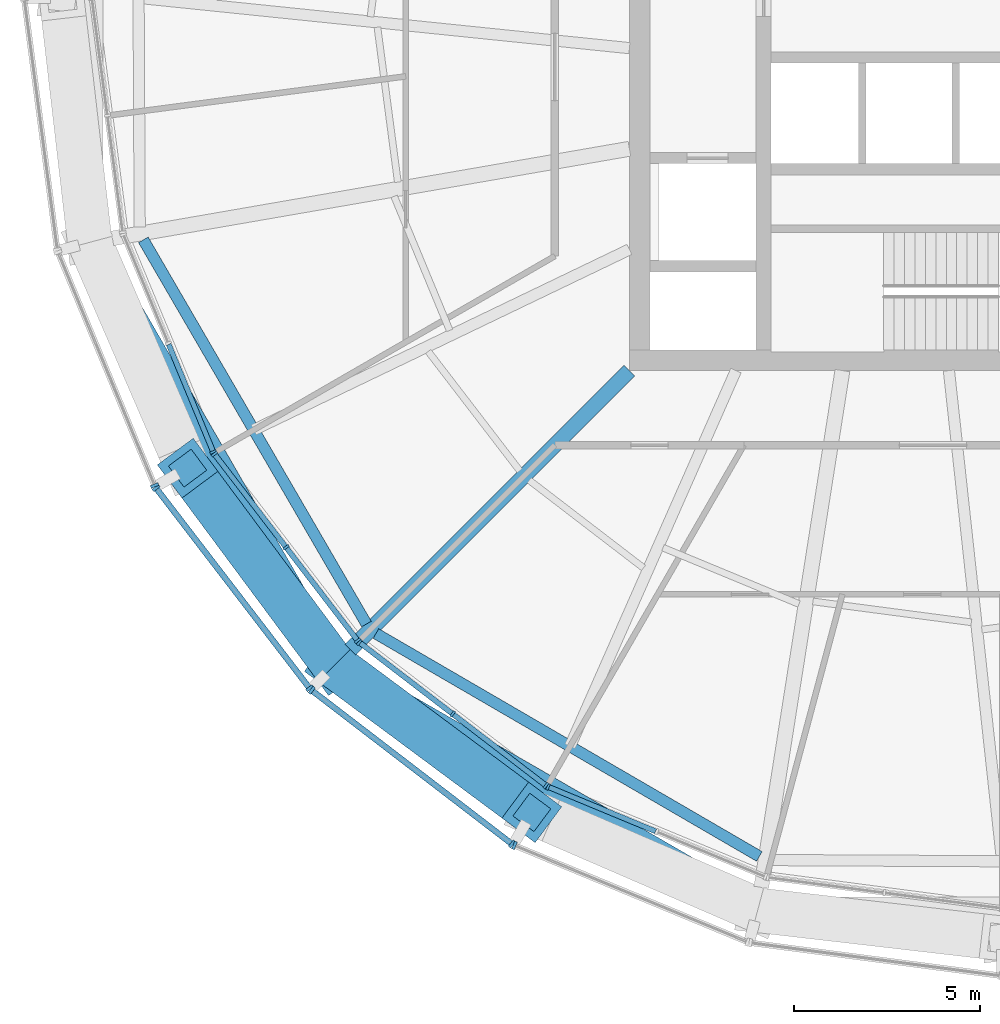
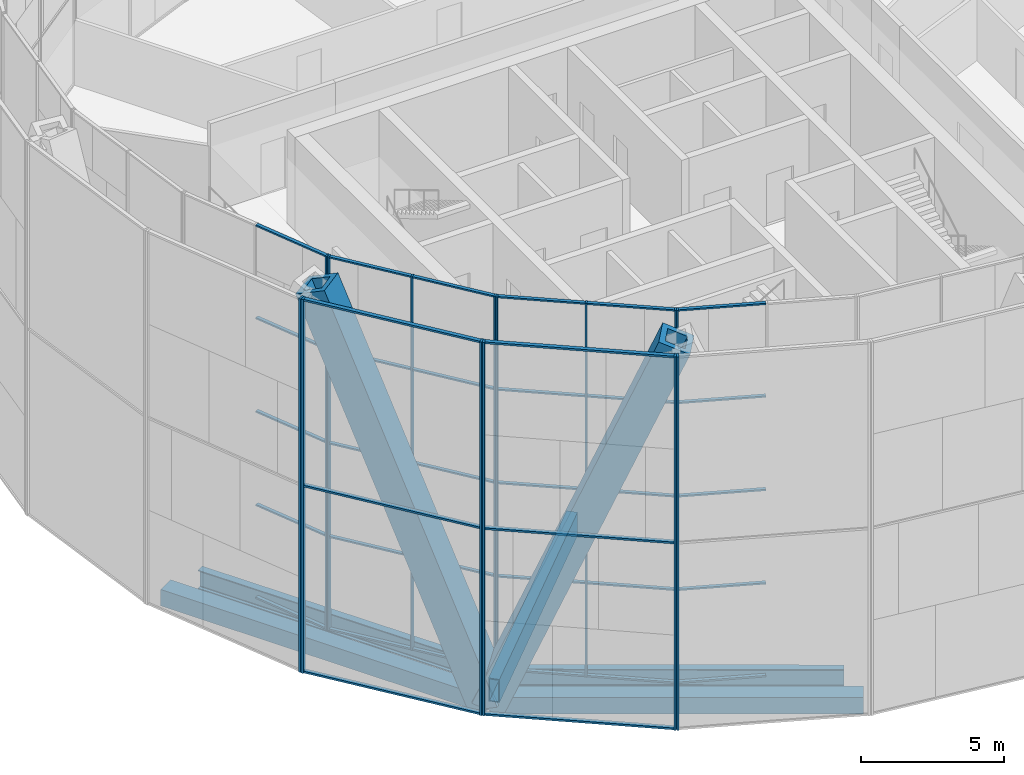
# One storey, part 1 of 28: 52 members, 5 beams, 8 elements without a shape of their own.
"""IFC4 building model written with IfcOpenShell, lengths in metres."""

from ifc_helpers import new_model, si_unit, direction, frame, origin, origin_2d, place, context, subcontext, project, spatial, rectangle, hollow_rectangle, i_section, extrude, material, material_profile, profile_set, type_object, element, aggregate, save


model = new_model("IFC4")

# Units and contexts
model_context = context("Model", 3, precision=1e-05, world=origin(), true_north=direction((0.0, 1.0)))
body_context = subcontext(model_context, "Body", "Model", "MODEL_VIEW")
ifc_project = project(units=[si_unit("LENGTHUNIT", "METRE"), si_unit("AREAUNIT", "SQUARE_METRE"), si_unit("VOLUMEUNIT", "CUBIC_METRE"), si_unit("PLANEANGLEUNIT", "RADIAN"), si_unit("MASSUNIT", "GRAM", prefix="KILO")], contexts=[model_context])

# Site, building, storey
site_placement = place(None, origin())
site = spatial("IfcSite", under=ifc_project, at=site_placement, CompositionType="ELEMENT")
building_placement = place(site_placement, origin())
building = spatial("IfcBuilding", under=site, at=building_placement, Name="Golbaran Civic Tower", CompositionType="ELEMENT")
storey_placement = place(building_placement, frame((0.0, 0.0, 134.0)))
storey = spatial("IfcBuildingStorey", under=building, at=storey_placement, Name="L32", CompositionType="ELEMENT", Elevation=134.0)

# Members
ifc_material_1 = material(Name="Steel S355", Category="steel")
ifc_material_profile_1 = material_profile(ifc_material_1, hollow_rectangle(XDim=1.199951171875, YDim=1.199951171875, WallThickness=0.219970703125, at=origin_2d()), Name="BOX 1200x1200x220")
ifc_profile_set_1 = profile_set([ifc_material_profile_1], Name="Steel S355")
member_type_1 = type_object("IfcMemberType", Name="DIAGRID DIAGONAL BOX 1200x1200x220", PredefinedType="BRACE", material=ifc_profile_set_1)
for number, where, z_axis, x_axis, name in (
    (1, (-17.91796875, -17.91796875, -0.7099609375), (0.306265484914, -0.227361182302, 0.924396205927), (0.59607001815, 0.802932458843, 0.0), "Diagonal D07-07R L32-L36"),
    (2, (-17.91796875, -17.91796875, -0.7099609375), (-0.227361182302, 0.306265484914, 0.924396205927), (-0.802932458843, -0.59607001815, 0.0), "Diagonal D07-07L L32-L36"),
):
    element("IfcMember", number, at=place(storey_placement, frame(where, z_axis=z_axis, x_axis=x_axis)), inside=storey, type_object=member_type_1, Name=name, PredefinedType="BRACE", context=body_context, shape_type="SweptSolid", body=[
        extrude(hollow_rectangle(XDim=1.199951171875, YDim=1.199951171875, WallThickness=0.219970703125, at=origin_2d()), origin(), (0.0, 0.0, 1.0), 17.30859375),
    ])

# Beams
ifc_material_profile_2 = material_profile(ifc_material_1, hollow_rectangle(XDim=0.699951171875, YDim=0.699951171875, WallThickness=0.080078125, at=origin_2d()), Name="BOX 700x700x80")
ifc_profile_set_2 = profile_set([ifc_material_profile_2], Name="Steel S355")
beam_type_1 = type_object("IfcBeamType", Name="DIAGRID RING TIE BOX 700x700x80", PredefinedType="BEAM", material=ifc_profile_set_2)
for number, where, z_axis, x_axis, name in (
    (3, (-24.4765625, -6.55859375, -0.7099609375), (0.500014611105, -0.866016967894, 0.0), (0.866016967894, 0.500014611105, 0.0), "Ring tie 195.00 L32"),
    (4, (-17.91796875, -17.91796875, -0.7099609375), (0.866016967894, -0.500014611105, 0.0), (0.500014611105, 0.866016967894, 0.0), "Ring tie 225.00 L32"),
):
    element("IfcBeam", number, at=place(storey_placement, frame(where, z_axis=z_axis, x_axis=x_axis)), inside=storey, type_object=beam_type_1, Name=name, PredefinedType="BEAM", context=body_context, shape_type="SweptSolid", body=[
        extrude(hollow_rectangle(XDim=0.699951171875, YDim=0.699951171875, WallThickness=0.080078125, at=origin_2d()), origin(), (0.0, 0.0, 1.0), 13.11669921875),
    ])
ifc_material_profile_3 = material_profile(ifc_material_1, i_section(OverallWidth=0.300048828125, OverallDepth=0.800048828125, WebThickness=0.017578125, FlangeThickness=0.032958984375, FilletRadius=0.030029296875, at=origin_2d()), Name="HEB 800")
ifc_profile_set_3 = profile_set([ifc_material_profile_3], Name="Steel S355")
beam_type_2 = type_object("IfcBeamType", Name="EDGE BEAM HEB 800", PredefinedType="BEAM", material=ifc_profile_set_3)
beam_1_placement = place(storey_placement, frame((-23.040283203125, -6.4921875, -0.60009765625), z_axis=(0.502208152449, -0.864746767333, 0.0), x_axis=(0.864746767333, 0.502208152449, 0.0)))
element("IfcBeam", 5, at=beam_1_placement, inside=storey, type_object=beam_type_2, Name="Edge beam 195.00 L32", PredefinedType="BEAM", context=body_context, shape_type="SweptSolid", body=[
    extrude(i_section(OverallWidth=0.300048828125, OverallDepth=0.800048828125, WebThickness=0.017578125, FlangeThickness=0.032958984375, FilletRadius=0.030029296875, at=origin_2d()), origin(), (0.0, 0.0, 1.0), 11.91943359375),
])
beam_2_placement = place(storey_placement, frame((-16.7998046875, -17.05419921875, -0.60009765625), z_axis=(0.864517761799, -0.502602267737, 0.0), x_axis=(0.502602267737, 0.864517761799, 0.0)))
element("IfcBeam", 6, at=beam_2_placement, inside=storey, type_object=beam_type_2, Name="Edge beam 225.00 L32", PredefinedType="BEAM", context=body_context, shape_type="SweptSolid", body=[
    extrude(i_section(OverallWidth=0.300048828125, OverallDepth=0.800048828125, WebThickness=0.017578125, FlangeThickness=0.032958984375, FilletRadius=0.030029296875, at=origin_2d()), origin(), (0.0, 0.0, 1.0), 11.8974609375),
])

# Curtain wall, member
ifc_material_2 = material(Name="Aluminium and glass", Category="aluminium")
curtain_wall_type_1 = type_object("IfcCurtainWallType", Name="INNER SKIN CURTAIN WALL", PredefinedType="NOTDEFINED", material=ifc_material_2)
curtain_wall_1_placement = place(storey_placement, origin())
curtain_wall_1 = element("IfcCurtainWall", 7, at=curtain_wall_1_placement, inside=storey, type_object=curtain_wall_type_1, Name="Inner skin L32 facet 14 CW1", ObjectType="INNER SKIN", PredefinedType="USERDEFINED")
ifc_material_3 = material(Name="Aluminium", Category="aluminium")
ifc_material_profile_4 = material_profile(ifc_material_3, rectangle(XDim=0.179931640625, YDim=0.06494140625, at=origin_2d()), Name="INNER SKIN CURTAIN WALL MULLION")
ifc_profile_set_4 = profile_set([ifc_material_profile_4], Name="Aluminium")
member_type_2 = type_object("IfcMemberType", Name="INNER SKIN CURTAIN WALL MULLION", PredefinedType="MULLION", material=ifc_profile_set_4)
member_1_placement = place(storey_placement, frame((-21.1650390625, -12.182373046875, 0.0), z_axis=(0.0, 0.0, 1.0), x_axis=(0.923879532485, 0.38268343243, 0.0)))
member_1 = element("IfcMember", 8, at=member_1_placement, type_object=member_type_2, Name="CW1 mullion 3", PredefinedType="MULLION", context=body_context, shape_type="SweptSolid", body=[
    extrude(rectangle(XDim=0.179931640625, YDim=0.06494140625, at=origin_2d()), origin(), (0.0, 0.0, 1.0), 16.0),
])

# Curtain wall, members
curtain_wall_2_placement = place(storey_placement, origin())
curtain_wall_2 = element("IfcCurtainWall", 9, at=curtain_wall_2_placement, inside=storey, type_object=curtain_wall_type_1, Name="Inner skin L32 facet 15 CW1", ObjectType="INNER SKIN", PredefinedType="USERDEFINED")
member_2_placement = place(storey_placement, frame((-21.1328125, -12.23828125, 0.0), z_axis=(0.0, 0.0, 1.0), x_axis=(0.793353340259, 0.60876142905, 0.0)))
member_2 = element("IfcMember", 10, at=member_2_placement, type_object=member_type_2, Name="CW1 mullion 1", PredefinedType="MULLION", context=body_context, shape_type="SweptSolid", body=[
    extrude(rectangle(XDim=0.179931640625, YDim=0.06494140625, at=origin_2d()), origin(), (0.0, 0.0, 1.0), 16.0),
])
member_3_placement = place(storey_placement, frame((-19.2119140625, -14.74169921875, 0.0), z_axis=(0.0, 0.0, 1.0), x_axis=(0.793353340259, 0.60876142905, 0.0)))
member_3 = element("IfcMember", 11, at=member_3_placement, type_object=member_type_2, Name="CW1 mullion 2", PredefinedType="MULLION", context=body_context, shape_type="SweptSolid", body=[
    extrude(rectangle(XDim=0.179931640625, YDim=0.06494140625, at=origin_2d()), origin(), (0.0, 0.0, 1.0), 16.0),
])
member_4_placement = place(storey_placement, frame((-17.290771484375, -17.245361328125, 0.0), z_axis=(0.0, 0.0, 1.0), x_axis=(0.793353340259, 0.60876142905, 0.0)))
member_4 = element("IfcMember", 12, at=member_4_placement, type_object=member_type_2, Name="CW1 mullion 3", PredefinedType="MULLION", context=body_context, shape_type="SweptSolid", body=[
    extrude(rectangle(XDim=0.179931640625, YDim=0.06494140625, at=origin_2d()), origin(), (0.0, 0.0, 1.0), 16.0),
])

curtain_wall_3_placement = place(storey_placement, origin())
curtain_wall_3 = element("IfcCurtainWall", 13, at=curtain_wall_3_placement, inside=storey, type_object=curtain_wall_type_1, Name="Inner skin L32 facet 16 CW1", ObjectType="INNER SKIN", PredefinedType="USERDEFINED")
member_5_placement = place(storey_placement, frame((-17.245361328125, -17.290771484375, 0.0), z_axis=(0.0, 0.0, 1.0), x_axis=(0.60876142905, 0.793353340259, 0.0)))
member_5 = element("IfcMember", 14, at=member_5_placement, type_object=member_type_2, Name="CW1 mullion 1", PredefinedType="MULLION", context=body_context, shape_type="SweptSolid", body=[
    extrude(rectangle(XDim=0.179931640625, YDim=0.06494140625, at=origin_2d()), origin(), (0.0, 0.0, 1.0), 16.0),
])
member_6_placement = place(storey_placement, frame((-14.74169921875, -19.2119140625, 0.0), z_axis=(0.0, 0.0, 1.0), x_axis=(0.60876142905, 0.793353340259, 0.0)))
member_6 = element("IfcMember", 15, at=member_6_placement, type_object=member_type_2, Name="CW1 mullion 2", PredefinedType="MULLION", context=body_context, shape_type="SweptSolid", body=[
    extrude(rectangle(XDim=0.179931640625, YDim=0.06494140625, at=origin_2d()), origin(), (0.0, 0.0, 1.0), 16.0),
])
member_7_placement = place(storey_placement, frame((-12.23828125, -21.1328125, 0.0), z_axis=(0.0, 0.0, 1.0), x_axis=(0.60876142905, 0.793353340259, 0.0)))
member_7 = element("IfcMember", 16, at=member_7_placement, type_object=member_type_2, Name="CW1 mullion 3", PredefinedType="MULLION", context=body_context, shape_type="SweptSolid", body=[
    extrude(rectangle(XDim=0.179931640625, YDim=0.06494140625, at=origin_2d()), origin(), (0.0, 0.0, 1.0), 16.0),
])

# Curtain wall, member
curtain_wall_4_placement = place(storey_placement, origin())
curtain_wall_4 = element("IfcCurtainWall", 17, at=curtain_wall_4_placement, inside=storey, type_object=curtain_wall_type_1, Name="Inner skin L32 facet 17 CW1", ObjectType="INNER SKIN", PredefinedType="USERDEFINED")
member_8_placement = place(storey_placement, frame((-12.182373046875, -21.1650390625, 0.0), z_axis=(0.0, 0.0, 1.0), x_axis=(0.38268343243, 0.923879532485, 0.0)))
member_8 = element("IfcMember", 18, at=member_8_placement, type_object=member_type_2, Name="CW1 mullion 1", PredefinedType="MULLION", context=body_context, shape_type="SweptSolid", body=[
    extrude(rectangle(XDim=0.179931640625, YDim=0.06494140625, at=origin_2d()), origin(), (0.0, 0.0, 1.0), 16.0),
])

# Member
ifc_material_profile_5 = material_profile(ifc_material_3, rectangle(XDim=0.139892578125, YDim=0.06494140625, at=origin_2d()), Name="INNER SKIN CURTAIN WALL TRANSOM")
ifc_profile_set_5 = profile_set([ifc_material_profile_5], Name="Aluminium")
member_type_3 = type_object("IfcMemberType", Name="INNER SKIN CURTAIN WALL TRANSOM", PredefinedType="USERDEFINED", material=ifc_profile_set_5)
member_9_placement = place(storey_placement, frame((-22.3603515625, -9.297119140625, 0.032470703125), z_axis=(0.382735511786, -0.923857958789, 0.0), x_axis=(0.923857958789, 0.382735511786, 0.0)))
member_9 = element("IfcMember", 19, at=member_9_placement, type_object=member_type_3, Name="CW1 transom 2.1", ObjectType="TRANSOM", PredefinedType="USERDEFINED", context=body_context, shape_type="SweptSolid", body=[
    extrude(rectangle(XDim=0.139892578125, YDim=0.06494140625, at=origin_2d()), origin(), (0.0, 0.0, 1.0), 3.090576171875),
])

member_10_placement = place(storey_placement, frame((-22.3603515625, -9.297119140625, 4.0), z_axis=(0.382735511786, -0.923857958789, 0.0), x_axis=(0.923857958789, 0.382735511786, 0.0)))
member_10 = element("IfcMember", 20, at=member_10_placement, type_object=member_type_3, Name="CW1 transom 2.2", ObjectType="TRANSOM", PredefinedType="USERDEFINED", context=body_context, shape_type="SweptSolid", body=[
    extrude(rectangle(XDim=0.139892578125, YDim=0.06494140625, at=origin_2d()), origin(), (0.0, 0.0, 1.0), 3.090576171875),
])

member_11_placement = place(storey_placement, frame((-22.3603515625, -9.297119140625, 8.0), z_axis=(0.382735511786, -0.923857958789, 0.0), x_axis=(0.923857958789, 0.382735511786, 0.0)))
member_11 = element("IfcMember", 21, at=member_11_placement, type_object=member_type_3, Name="CW1 transom 2.3", ObjectType="TRANSOM", PredefinedType="USERDEFINED", context=body_context, shape_type="SweptSolid", body=[
    extrude(rectangle(XDim=0.139892578125, YDim=0.06494140625, at=origin_2d()), origin(), (0.0, 0.0, 1.0), 3.090576171875),
])

member_12_placement = place(storey_placement, frame((-22.3603515625, -9.297119140625, 12.0), z_axis=(0.382735511786, -0.923857958789, 0.0), x_axis=(0.923857958789, 0.382735511786, 0.0)))
member_12 = element("IfcMember", 22, at=member_12_placement, type_object=member_type_3, Name="CW1 transom 2.4", ObjectType="TRANSOM", PredefinedType="USERDEFINED", context=body_context, shape_type="SweptSolid", body=[
    extrude(rectangle(XDim=0.139892578125, YDim=0.06494140625, at=origin_2d()), origin(), (0.0, 0.0, 1.0), 3.090576171875),
])

member_13_placement = place(storey_placement, frame((-22.3603515625, -9.297119140625, 15.967529296875), z_axis=(0.382735511786, -0.923857958789, 0.0), x_axis=(0.923857958789, 0.382735511786, 0.0)))
member_13 = element("IfcMember", 23, at=member_13_placement, type_object=member_type_3, Name="CW1 transom 2.5", ObjectType="TRANSOM", PredefinedType="USERDEFINED", context=body_context, shape_type="SweptSolid", body=[
    extrude(rectangle(XDim=0.139892578125, YDim=0.06494140625, at=origin_2d()), origin(), (0.0, 0.0, 1.0), 3.090576171875),
])

aggregate(curtain_wall_1, [member_1, member_9, member_10, member_11, member_12, member_13])

member_14_placement = place(storey_placement, frame((-21.113037109375, -12.26416015625, 0.032470703125), z_axis=(0.608748255763, -0.793363448304, 0.0), x_axis=(0.793363448304, 0.608748255763, 0.0)))
member_14 = element("IfcMember", 24, at=member_14_placement, type_object=member_type_3, Name="CW1 transom 1.1", ObjectType="TRANSOM", PredefinedType="USERDEFINED", context=body_context, shape_type="SweptSolid", body=[
    extrude(rectangle(XDim=0.139892578125, YDim=0.06494140625, at=origin_2d()), origin(), (0.0, 0.0, 1.0), 3.090576171875),
])

member_15_placement = place(storey_placement, frame((-21.113037109375, -12.26416015625, 4.0), z_axis=(0.608748255763, -0.793363448304, 0.0), x_axis=(0.793363448304, 0.608748255763, 0.0)))
member_15 = element("IfcMember", 25, at=member_15_placement, type_object=member_type_3, Name="CW1 transom 1.2", ObjectType="TRANSOM", PredefinedType="USERDEFINED", context=body_context, shape_type="SweptSolid", body=[
    extrude(rectangle(XDim=0.139892578125, YDim=0.06494140625, at=origin_2d()), origin(), (0.0, 0.0, 1.0), 3.090576171875),
])

member_16_placement = place(storey_placement, frame((-21.113037109375, -12.26416015625, 8.0), z_axis=(0.608748255763, -0.793363448304, 0.0), x_axis=(0.793363448304, 0.608748255763, 0.0)))
member_16 = element("IfcMember", 26, at=member_16_placement, type_object=member_type_3, Name="CW1 transom 1.3", ObjectType="TRANSOM", PredefinedType="USERDEFINED", context=body_context, shape_type="SweptSolid", body=[
    extrude(rectangle(XDim=0.139892578125, YDim=0.06494140625, at=origin_2d()), origin(), (0.0, 0.0, 1.0), 3.090576171875),
])

member_17_placement = place(storey_placement, frame((-21.113037109375, -12.26416015625, 12.0), z_axis=(0.608748255763, -0.793363448304, 0.0), x_axis=(0.793363448304, 0.608748255763, 0.0)))
member_17 = element("IfcMember", 27, at=member_17_placement, type_object=member_type_3, Name="CW1 transom 1.4", ObjectType="TRANSOM", PredefinedType="USERDEFINED", context=body_context, shape_type="SweptSolid", body=[
    extrude(rectangle(XDim=0.139892578125, YDim=0.06494140625, at=origin_2d()), origin(), (0.0, 0.0, 1.0), 3.090576171875),
])

member_18_placement = place(storey_placement, frame((-21.113037109375, -12.26416015625, 15.967529296875), z_axis=(0.608748255763, -0.793363448304, 0.0), x_axis=(0.793363448304, 0.608748255763, 0.0)))
member_18 = element("IfcMember", 28, at=member_18_placement, type_object=member_type_3, Name="CW1 transom 1.5", ObjectType="TRANSOM", PredefinedType="USERDEFINED", context=body_context, shape_type="SweptSolid", body=[
    extrude(rectangle(XDim=0.139892578125, YDim=0.06494140625, at=origin_2d()), origin(), (0.0, 0.0, 1.0), 3.090576171875),
])

member_19_placement = place(storey_placement, frame((-19.192138671875, -14.767578125, 0.032470703125), z_axis=(0.608797974693, -0.793325296464, 0.0), x_axis=(0.793325296464, 0.608797974693, 0.0)))
member_19 = element("IfcMember", 29, at=member_19_placement, type_object=member_type_3, Name="CW1 transom 2.1", ObjectType="TRANSOM", PredefinedType="USERDEFINED", context=body_context, shape_type="SweptSolid", body=[
    extrude(rectangle(XDim=0.139892578125, YDim=0.06494140625, at=origin_2d()), origin(), (0.0, 0.0, 1.0), 3.090576171875),
])

member_20_placement = place(storey_placement, frame((-19.192138671875, -14.767578125, 4.0), z_axis=(0.608797974693, -0.793325296464, 0.0), x_axis=(0.793325296464, 0.608797974693, 0.0)))
member_20 = element("IfcMember", 30, at=member_20_placement, type_object=member_type_3, Name="CW1 transom 2.2", ObjectType="TRANSOM", PredefinedType="USERDEFINED", context=body_context, shape_type="SweptSolid", body=[
    extrude(rectangle(XDim=0.139892578125, YDim=0.06494140625, at=origin_2d()), origin(), (0.0, 0.0, 1.0), 3.090576171875),
])

member_21_placement = place(storey_placement, frame((-19.192138671875, -14.767578125, 8.0), z_axis=(0.608797974693, -0.793325296464, 0.0), x_axis=(0.793325296464, 0.608797974693, 0.0)))
member_21 = element("IfcMember", 31, at=member_21_placement, type_object=member_type_3, Name="CW1 transom 2.3", ObjectType="TRANSOM", PredefinedType="USERDEFINED", context=body_context, shape_type="SweptSolid", body=[
    extrude(rectangle(XDim=0.139892578125, YDim=0.06494140625, at=origin_2d()), origin(), (0.0, 0.0, 1.0), 3.090576171875),
])

member_22_placement = place(storey_placement, frame((-19.192138671875, -14.767578125, 12.0), z_axis=(0.608797974693, -0.793325296464, 0.0), x_axis=(0.793325296464, 0.608797974693, 0.0)))
member_22 = element("IfcMember", 32, at=member_22_placement, type_object=member_type_3, Name="CW1 transom 2.4", ObjectType="TRANSOM", PredefinedType="USERDEFINED", context=body_context, shape_type="SweptSolid", body=[
    extrude(rectangle(XDim=0.139892578125, YDim=0.06494140625, at=origin_2d()), origin(), (0.0, 0.0, 1.0), 3.090576171875),
])

member_23_placement = place(storey_placement, frame((-19.192138671875, -14.767578125, 15.967529296875), z_axis=(0.608797974693, -0.793325296464, 0.0), x_axis=(0.793325296464, 0.608797974693, 0.0)))
member_23 = element("IfcMember", 33, at=member_23_placement, type_object=member_type_3, Name="CW1 transom 2.5", ObjectType="TRANSOM", PredefinedType="USERDEFINED", context=body_context, shape_type="SweptSolid", body=[
    extrude(rectangle(XDim=0.139892578125, YDim=0.06494140625, at=origin_2d()), origin(), (0.0, 0.0, 1.0), 3.090576171875),
])

aggregate(curtain_wall_2, [member_2, member_3, member_4, member_14, member_15, member_16, member_17, member_18, member_19, member_20, member_21, member_22, member_23])

member_24_placement = place(storey_placement, frame((-17.219482421875, -17.310546875, 0.032470703125), z_axis=(0.793325296464, -0.608797974693, 0.0), x_axis=(0.608797974693, 0.793325296464, 0.0)))
member_24 = element("IfcMember", 34, at=member_24_placement, type_object=member_type_3, Name="CW1 transom 1.1", ObjectType="TRANSOM", PredefinedType="USERDEFINED", context=body_context, shape_type="SweptSolid", body=[
    extrude(rectangle(XDim=0.139892578125, YDim=0.06494140625, at=origin_2d()), origin(), (0.0, 0.0, 1.0), 3.090576171875),
])

member_25_placement = place(storey_placement, frame((-17.219482421875, -17.310546875, 4.0), z_axis=(0.793325296464, -0.608797974693, 0.0), x_axis=(0.608797974693, 0.793325296464, 0.0)))
member_25 = element("IfcMember", 35, at=member_25_placement, type_object=member_type_3, Name="CW1 transom 1.2", ObjectType="TRANSOM", PredefinedType="USERDEFINED", context=body_context, shape_type="SweptSolid", body=[
    extrude(rectangle(XDim=0.139892578125, YDim=0.06494140625, at=origin_2d()), origin(), (0.0, 0.0, 1.0), 3.090576171875),
])

member_26_placement = place(storey_placement, frame((-17.219482421875, -17.310546875, 8.0), z_axis=(0.793325296464, -0.608797974693, 0.0), x_axis=(0.608797974693, 0.793325296464, 0.0)))
member_26 = element("IfcMember", 36, at=member_26_placement, type_object=member_type_3, Name="CW1 transom 1.3", ObjectType="TRANSOM", PredefinedType="USERDEFINED", context=body_context, shape_type="SweptSolid", body=[
    extrude(rectangle(XDim=0.139892578125, YDim=0.06494140625, at=origin_2d()), origin(), (0.0, 0.0, 1.0), 3.090576171875),
])

member_27_placement = place(storey_placement, frame((-17.219482421875, -17.310546875, 12.0), z_axis=(0.793325296464, -0.608797974693, 0.0), x_axis=(0.608797974693, 0.793325296464, 0.0)))
member_27 = element("IfcMember", 37, at=member_27_placement, type_object=member_type_3, Name="CW1 transom 1.4", ObjectType="TRANSOM", PredefinedType="USERDEFINED", context=body_context, shape_type="SweptSolid", body=[
    extrude(rectangle(XDim=0.139892578125, YDim=0.06494140625, at=origin_2d()), origin(), (0.0, 0.0, 1.0), 3.090576171875),
])

member_28_placement = place(storey_placement, frame((-17.219482421875, -17.310546875, 15.967529296875), z_axis=(0.793325296464, -0.608797974693, 0.0), x_axis=(0.608797974693, 0.793325296464, 0.0)))
member_28 = element("IfcMember", 38, at=member_28_placement, type_object=member_type_3, Name="CW1 transom 1.5", ObjectType="TRANSOM", PredefinedType="USERDEFINED", context=body_context, shape_type="SweptSolid", body=[
    extrude(rectangle(XDim=0.139892578125, YDim=0.06494140625, at=origin_2d()), origin(), (0.0, 0.0, 1.0), 3.090576171875),
])

member_29_placement = place(storey_placement, frame((-14.716064453125, -19.231689453125, 0.032470703125), z_axis=(0.793363448304, -0.608748255763, 0.0), x_axis=(0.608748255763, 0.793363448304, 0.0)))
member_29 = element("IfcMember", 39, at=member_29_placement, type_object=member_type_3, Name="CW1 transom 2.1", ObjectType="TRANSOM", PredefinedType="USERDEFINED", context=body_context, shape_type="SweptSolid", body=[
    extrude(rectangle(XDim=0.139892578125, YDim=0.06494140625, at=origin_2d()), origin(), (0.0, 0.0, 1.0), 3.090576171875),
])

member_30_placement = place(storey_placement, frame((-14.716064453125, -19.231689453125, 4.0), z_axis=(0.793363448304, -0.608748255763, 0.0), x_axis=(0.608748255763, 0.793363448304, 0.0)))
member_30 = element("IfcMember", 40, at=member_30_placement, type_object=member_type_3, Name="CW1 transom 2.2", ObjectType="TRANSOM", PredefinedType="USERDEFINED", context=body_context, shape_type="SweptSolid", body=[
    extrude(rectangle(XDim=0.139892578125, YDim=0.06494140625, at=origin_2d()), origin(), (0.0, 0.0, 1.0), 3.090576171875),
])

member_31_placement = place(storey_placement, frame((-14.716064453125, -19.231689453125, 8.0), z_axis=(0.793363448304, -0.608748255763, 0.0), x_axis=(0.608748255763, 0.793363448304, 0.0)))
member_31 = element("IfcMember", 41, at=member_31_placement, type_object=member_type_3, Name="CW1 transom 2.3", ObjectType="TRANSOM", PredefinedType="USERDEFINED", context=body_context, shape_type="SweptSolid", body=[
    extrude(rectangle(XDim=0.139892578125, YDim=0.06494140625, at=origin_2d()), origin(), (0.0, 0.0, 1.0), 3.090576171875),
])

member_32_placement = place(storey_placement, frame((-14.716064453125, -19.231689453125, 12.0), z_axis=(0.793363448304, -0.608748255763, 0.0), x_axis=(0.608748255763, 0.793363448304, 0.0)))
member_32 = element("IfcMember", 42, at=member_32_placement, type_object=member_type_3, Name="CW1 transom 2.4", ObjectType="TRANSOM", PredefinedType="USERDEFINED", context=body_context, shape_type="SweptSolid", body=[
    extrude(rectangle(XDim=0.139892578125, YDim=0.06494140625, at=origin_2d()), origin(), (0.0, 0.0, 1.0), 3.090576171875),
])

member_33_placement = place(storey_placement, frame((-14.716064453125, -19.231689453125, 15.967529296875), z_axis=(0.793363448304, -0.608748255763, 0.0), x_axis=(0.608748255763, 0.793363448304, 0.0)))
member_33 = element("IfcMember", 43, at=member_33_placement, type_object=member_type_3, Name="CW1 transom 2.5", ObjectType="TRANSOM", PredefinedType="USERDEFINED", context=body_context, shape_type="SweptSolid", body=[
    extrude(rectangle(XDim=0.139892578125, YDim=0.06494140625, at=origin_2d()), origin(), (0.0, 0.0, 1.0), 3.090576171875),
])

aggregate(curtain_wall_3, [member_5, member_6, member_7, member_24, member_25, member_26, member_27, member_28, member_29, member_30, member_31, member_32, member_33])

member_34_placement = place(storey_placement, frame((-12.15234375, -21.177490234375, 0.032470703125), z_axis=(0.923857958789, -0.382735511786, 0.0), x_axis=(0.382735511786, 0.923857958789, 0.0)))
member_34 = element("IfcMember", 44, at=member_34_placement, type_object=member_type_3, Name="CW1 transom 1.1", ObjectType="TRANSOM", PredefinedType="USERDEFINED", context=body_context, shape_type="SweptSolid", body=[
    extrude(rectangle(XDim=0.139892578125, YDim=0.06494140625, at=origin_2d()), origin(), (0.0, 0.0, 1.0), 3.090576171875),
])

member_35_placement = place(storey_placement, frame((-12.15234375, -21.177490234375, 4.0), z_axis=(0.923857958789, -0.382735511786, 0.0), x_axis=(0.382735511786, 0.923857958789, 0.0)))
member_35 = element("IfcMember", 45, at=member_35_placement, type_object=member_type_3, Name="CW1 transom 1.2", ObjectType="TRANSOM", PredefinedType="USERDEFINED", context=body_context, shape_type="SweptSolid", body=[
    extrude(rectangle(XDim=0.139892578125, YDim=0.06494140625, at=origin_2d()), origin(), (0.0, 0.0, 1.0), 3.090576171875),
])

member_36_placement = place(storey_placement, frame((-12.15234375, -21.177490234375, 8.0), z_axis=(0.923857958789, -0.382735511786, 0.0), x_axis=(0.382735511786, 0.923857958789, 0.0)))
member_36 = element("IfcMember", 46, at=member_36_placement, type_object=member_type_3, Name="CW1 transom 1.3", ObjectType="TRANSOM", PredefinedType="USERDEFINED", context=body_context, shape_type="SweptSolid", body=[
    extrude(rectangle(XDim=0.139892578125, YDim=0.06494140625, at=origin_2d()), origin(), (0.0, 0.0, 1.0), 3.090576171875),
])

member_37_placement = place(storey_placement, frame((-12.15234375, -21.177490234375, 12.0), z_axis=(0.923857958789, -0.382735511786, 0.0), x_axis=(0.382735511786, 0.923857958789, 0.0)))
member_37 = element("IfcMember", 47, at=member_37_placement, type_object=member_type_3, Name="CW1 transom 1.4", ObjectType="TRANSOM", PredefinedType="USERDEFINED", context=body_context, shape_type="SweptSolid", body=[
    extrude(rectangle(XDim=0.139892578125, YDim=0.06494140625, at=origin_2d()), origin(), (0.0, 0.0, 1.0), 3.090576171875),
])

member_38_placement = place(storey_placement, frame((-12.15234375, -21.177490234375, 15.967529296875), z_axis=(0.923857958789, -0.382735511786, 0.0), x_axis=(0.382735511786, 0.923857958789, 0.0)))
member_38 = element("IfcMember", 48, at=member_38_placement, type_object=member_type_3, Name="CW1 transom 1.5", ObjectType="TRANSOM", PredefinedType="USERDEFINED", context=body_context, shape_type="SweptSolid", body=[
    extrude(rectangle(XDim=0.139892578125, YDim=0.06494140625, at=origin_2d()), origin(), (0.0, 0.0, 1.0), 3.090576171875),
])

aggregate(curtain_wall_4, [member_8, member_34, member_35, member_36, member_37, member_38])

# Curtain wall, member
curtain_wall_type_2 = type_object("IfcCurtainWallType", Name="OUTER SKIN TERRACOTTA SCREEN", PredefinedType="NOTDEFINED", material=ifc_material_2)
curtain_wall_5_placement = place(storey_placement, origin())
curtain_wall_5 = element("IfcCurtainWall", 49, at=curtain_wall_5_placement, inside=storey, type_object=curtain_wall_type_2, Name="Outer skin L32 facet 14 CW3", ObjectType="OUTER SKIN", PredefinedType="USERDEFINED")
ifc_material_profile_6 = material_profile(ifc_material_3, rectangle(XDim=0.219970703125, YDim=0.080078125, at=origin_2d()), Name="OUTER SKIN TERRACOTTA SCREEN MULLION")
ifc_profile_set_6 = profile_set([ifc_material_profile_6], Name="Aluminium")
member_type_4 = type_object("IfcMemberType", Name="OUTER SKIN TERRACOTTA SCREEN MULLION", PredefinedType="MULLION", material=ifc_profile_set_6)
member_39_placement = place(storey_placement, frame((-22.73974609375, -13.0830078125, -0.7099609375), z_axis=(0.0, 0.0, 1.0), x_axis=(0.923879532498, 0.382683432397, 0.0)))
member_39 = element("IfcMember", 50, at=member_39_placement, type_object=member_type_4, Name="CW3 mullion 2", PredefinedType="MULLION", context=body_context, shape_type="SweptSolid", body=[
    extrude(rectangle(XDim=0.219970703125, YDim=0.080078125, at=origin_2d()), origin(), (0.0, 0.0, 1.0), 16.0),
])
aggregate(curtain_wall_5, [member_39])

# Curtain wall, members
curtain_wall_6_placement = place(storey_placement, origin())
curtain_wall_6 = element("IfcCurtainWall", 51, at=curtain_wall_6_placement, inside=storey, type_object=curtain_wall_type_2, Name="Outer skin L32 facet 15 CW3", ObjectType="OUTER SKIN", PredefinedType="USERDEFINED")
member_40_placement = place(storey_placement, frame((-22.7001953125, -13.15185546875, -0.7099609375), z_axis=(0.0, 0.0, 1.0), x_axis=(0.79335334027, 0.608761429036, 0.0)))
member_40 = element("IfcMember", 52, at=member_40_placement, type_object=member_type_4, Name="CW3 mullion 1", PredefinedType="MULLION", context=body_context, shape_type="SweptSolid", body=[
    extrude(rectangle(XDim=0.219970703125, YDim=0.080078125, at=origin_2d()), origin(), (0.0, 0.0, 1.0), 16.0),
])
member_41_placement = place(storey_placement, frame((-18.578857421875, -18.522705078125, -0.7099609375), z_axis=(0.0, 0.0, 1.0), x_axis=(0.79335334027, 0.608761429036, 0.0)))
member_41 = element("IfcMember", 53, at=member_41_placement, type_object=member_type_4, Name="CW3 mullion 2", PredefinedType="MULLION", context=body_context, shape_type="SweptSolid", body=[
    extrude(rectangle(XDim=0.219970703125, YDim=0.080078125, at=origin_2d()), origin(), (0.0, 0.0, 1.0), 16.0),
])

curtain_wall_7_placement = place(storey_placement, origin())
curtain_wall_7 = element("IfcCurtainWall", 54, at=curtain_wall_7_placement, inside=storey, type_object=curtain_wall_type_2, Name="Outer skin L32 facet 16 CW3", ObjectType="OUTER SKIN", PredefinedType="USERDEFINED")
member_42_placement = place(storey_placement, frame((-18.522705078125, -18.578857421875, -0.7099609375), z_axis=(0.0, 0.0, 1.0), x_axis=(0.608761429036, 0.79335334027, 0.0)))
member_42 = element("IfcMember", 55, at=member_42_placement, type_object=member_type_4, Name="CW3 mullion 1", PredefinedType="MULLION", context=body_context, shape_type="SweptSolid", body=[
    extrude(rectangle(XDim=0.219970703125, YDim=0.080078125, at=origin_2d()), origin(), (0.0, 0.0, 1.0), 16.0),
])
member_43_placement = place(storey_placement, frame((-13.15185546875, -22.7001953125, -0.7099609375), z_axis=(0.0, 0.0, 1.0), x_axis=(0.608761429036, 0.79335334027, 0.0)))
member_43 = element("IfcMember", 56, at=member_43_placement, type_object=member_type_4, Name="CW3 mullion 2", PredefinedType="MULLION", context=body_context, shape_type="SweptSolid", body=[
    extrude(rectangle(XDim=0.219970703125, YDim=0.080078125, at=origin_2d()), origin(), (0.0, 0.0, 1.0), 16.0),
])

# Curtain wall, member
curtain_wall_8_placement = place(storey_placement, origin())
curtain_wall_8 = element("IfcCurtainWall", 57, at=curtain_wall_8_placement, inside=storey, type_object=curtain_wall_type_2, Name="Outer skin L32 facet 17 CW3", ObjectType="OUTER SKIN", PredefinedType="USERDEFINED")
member_44_placement = place(storey_placement, frame((-13.0830078125, -22.73974609375, -0.7099609375), z_axis=(0.0, 0.0, 1.0), x_axis=(0.382683432397, 0.923879532498, 0.0)))
member_44 = element("IfcMember", 58, at=member_44_placement, type_object=member_type_4, Name="CW3 mullion 1", PredefinedType="MULLION", context=body_context, shape_type="SweptSolid", body=[
    extrude(rectangle(XDim=0.219970703125, YDim=0.080078125, at=origin_2d()), origin(), (0.0, 0.0, 1.0), 16.0),
])
aggregate(curtain_wall_8, [member_44])

# Member
ifc_material_profile_7 = material_profile(ifc_material_3, rectangle(XDim=0.159912109375, YDim=0.080078125, at=origin_2d()), Name="OUTER SKIN TERRACOTTA SCREEN TRANSOM")
ifc_profile_set_7 = profile_set([ifc_material_profile_7], Name="Aluminium")
member_type_5 = type_object("IfcMemberType", Name="OUTER SKIN TERRACOTTA SCREEN TRANSOM", PredefinedType="USERDEFINED", material=ifc_profile_set_7)
member_45_placement = place(storey_placement, frame((-22.67578125, -13.183349609375, -0.669921875), z_axis=(0.608745609527, -0.793365478756, 0.0), x_axis=(0.793365478756, 0.608745609527, 0.0)))
member_45 = element("IfcMember", 59, at=member_45_placement, type_object=member_type_5, Name="CW3 transom 1.1", ObjectType="TRANSOM", PredefinedType="USERDEFINED", context=body_context, shape_type="SweptSolid", body=[
    extrude(rectangle(XDim=0.159912109375, YDim=0.080078125, at=origin_2d()), origin(), (0.0, 0.0, 1.0), 6.68994140625),
])

member_46_placement = place(storey_placement, frame((-22.67578125, -13.183349609375, 7.2900390625), z_axis=(0.608745609527, -0.793365478756, 0.0), x_axis=(0.793365478756, 0.608745609527, 0.0)))
member_46 = element("IfcMember", 60, at=member_46_placement, type_object=member_type_5, Name="CW3 transom 1.2", ObjectType="TRANSOM", PredefinedType="USERDEFINED", context=body_context, shape_type="SweptSolid", body=[
    extrude(rectangle(XDim=0.159912109375, YDim=0.080078125, at=origin_2d()), origin(), (0.0, 0.0, 1.0), 6.68994140625),
])

member_47_placement = place(storey_placement, frame((-22.67578125, -13.183349609375, 15.25), z_axis=(0.608745609527, -0.793365478756, 0.0), x_axis=(0.793365478756, 0.608745609527, 0.0)))
member_47 = element("IfcMember", 61, at=member_47_placement, type_object=member_type_5, Name="CW3 transom 1.3", ObjectType="TRANSOM", PredefinedType="USERDEFINED", context=body_context, shape_type="SweptSolid", body=[
    extrude(rectangle(XDim=0.159912109375, YDim=0.080078125, at=origin_2d()), origin(), (0.0, 0.0, 1.0), 6.68994140625),
])

aggregate(curtain_wall_6, [member_40, member_41, member_45, member_46, member_47])

member_48_placement = place(storey_placement, frame((-18.490966796875, -18.603271484375, -0.669921875), z_axis=(0.793365478756, -0.608745609527, 0.0), x_axis=(0.608745609527, 0.793365478756, 0.0)))
member_48 = element("IfcMember", 62, at=member_48_placement, type_object=member_type_5, Name="CW3 transom 1.1", ObjectType="TRANSOM", PredefinedType="USERDEFINED", context=body_context, shape_type="SweptSolid", body=[
    extrude(rectangle(XDim=0.159912109375, YDim=0.080078125, at=origin_2d()), origin(), (0.0, 0.0, 1.0), 6.68994140625),
])

member_49_placement = place(storey_placement, frame((-18.490966796875, -18.603271484375, 7.2900390625), z_axis=(0.793365478756, -0.608745609527, 0.0), x_axis=(0.608745609527, 0.793365478756, 0.0)))
member_49 = element("IfcMember", 63, at=member_49_placement, type_object=member_type_5, Name="CW3 transom 1.2", ObjectType="TRANSOM", PredefinedType="USERDEFINED", context=body_context, shape_type="SweptSolid", body=[
    extrude(rectangle(XDim=0.159912109375, YDim=0.080078125, at=origin_2d()), origin(), (0.0, 0.0, 1.0), 6.68994140625),
])

member_50_placement = place(storey_placement, frame((-18.490966796875, -18.603271484375, 15.25), z_axis=(0.793365478756, -0.608745609527, 0.0), x_axis=(0.608745609527, 0.793365478756, 0.0)))
member_50 = element("IfcMember", 64, at=member_50_placement, type_object=member_type_5, Name="CW3 transom 1.3", ObjectType="TRANSOM", PredefinedType="USERDEFINED", context=body_context, shape_type="SweptSolid", body=[
    extrude(rectangle(XDim=0.159912109375, YDim=0.080078125, at=origin_2d()), origin(), (0.0, 0.0, 1.0), 6.68994140625),
])

aggregate(curtain_wall_7, [member_42, member_43, member_48, member_49, member_50])

# Beam
ifc_material_profile_8 = material_profile(ifc_material_1, hollow_rectangle(XDim=0.39990234375, YDim=1.0, WallThickness=0.0400390625, at=origin_2d()), Name="BOX 1000x400x40")
ifc_profile_set_8 = profile_set([ifc_material_profile_8], Name="Steel S355")
beam_type_3 = type_object("IfcBeamType", Name="RADIAL FLOOR BEAM BOX 1000x400x40", PredefinedType="BEAM", material=ifc_profile_set_8)
beam_3_placement = place(storey_placement, frame((-10.0, -10.0, -0.7099609375), z_axis=(-0.707106781187, -0.707106781187, 0.0), x_axis=(0.707106781187, -0.707106781187, 0.0)))
element("IfcBeam", 65, at=beam_3_placement, inside=storey, type_object=beam_type_3, Name="Radial beam 225.00 L32", PredefinedType="BEAM", context=body_context, shape_type="SweptSolid", body=[
    extrude(hollow_rectangle(XDim=0.39990234375, YDim=1.0, WallThickness=0.0400390625, at=origin_2d()), origin(), (0.0, 0.0, 1.0), 10.59130859375),
])

save(model, "model.ifc")
